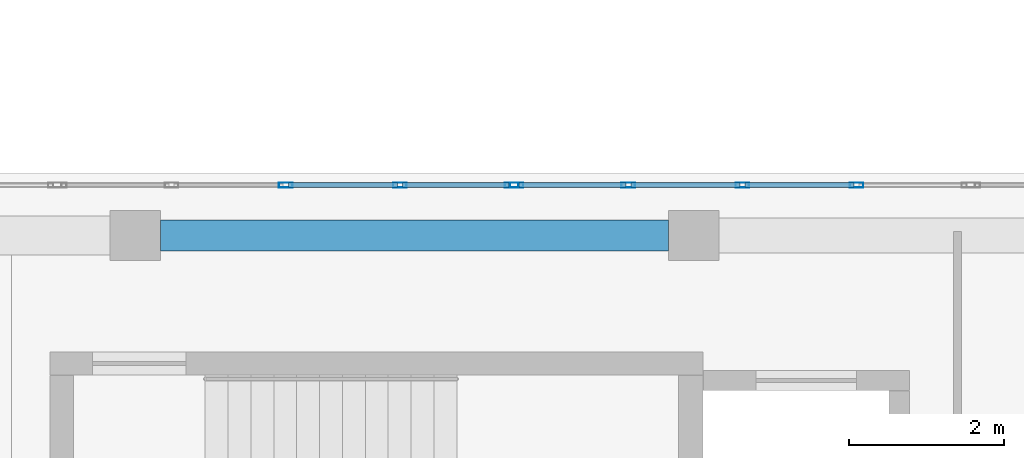
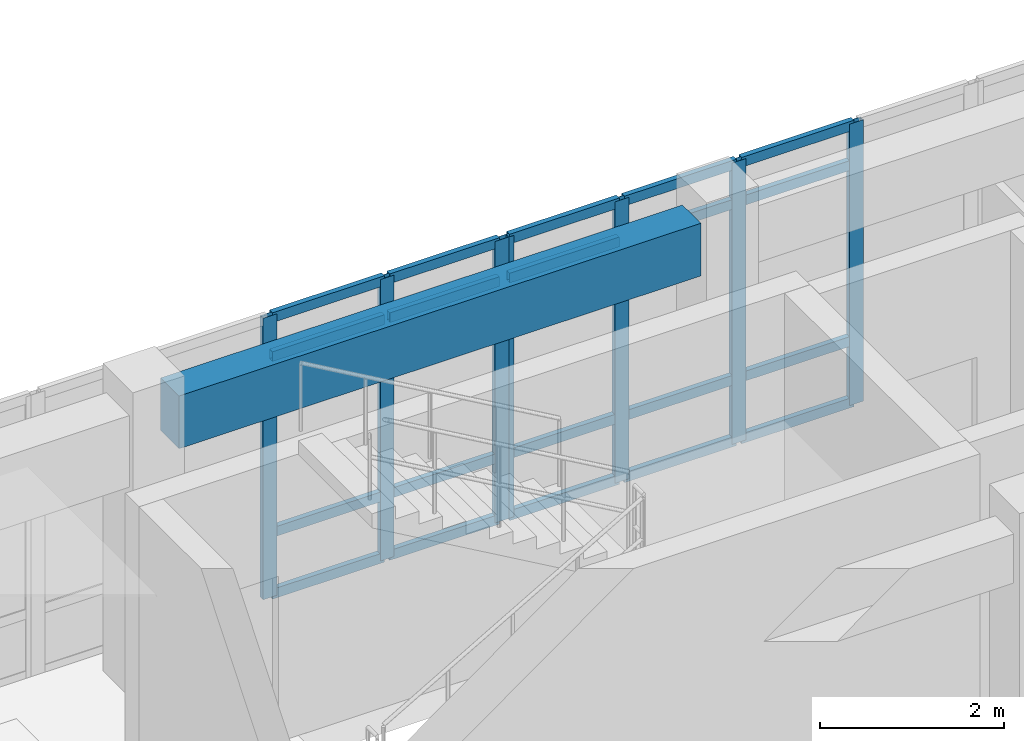
# One storey, part 29 of 146: 27 members, 1 beam, 2 elements without a shape of their own.
"""IFC4 building model written with IfcOpenShell, lengths in metres."""

from ifc_helpers import new_model, si_unit, direction, frame, origin, origin_2d, place, context, subcontext, project, spatial, rectangle, hollow_rectangle, extrude, material, layer, layer_set, material_profile, profile_set, type_object, element, aggregate, save


model = new_model("IFC4")

# Units and contexts
model_context = context("Model", 3, precision=1e-05, world=origin(), true_north=direction((0.0, 1.0)))
body_context = subcontext(model_context, "Body", "Model", "MODEL_VIEW")
ifc_project = project(units=[si_unit("LENGTHUNIT", "METRE"), si_unit("AREAUNIT", "SQUARE_METRE"), si_unit("VOLUMEUNIT", "CUBIC_METRE"), si_unit("PLANEANGLEUNIT", "RADIAN"), si_unit("MASSUNIT", "GRAM", prefix="KILO")], contexts=[model_context])

# Site, building, storey
site_placement = place(None, origin())
site = spatial("IfcSite", under=ifc_project, at=site_placement, CompositionType="ELEMENT")
building_placement = place(site_placement, origin())
building = spatial("IfcBuilding", under=site, at=building_placement, Name="Valcora Specialist Clinic", CompositionType="ELEMENT")
storey_placement = place(building_placement, frame((0.0, 0.0, 9.52001953125)))
storey = spatial("IfcBuildingStorey", under=building, at=storey_placement, Name="L02", CompositionType="ELEMENT", Elevation=9.52001953125)

# Beam
ifc_material_1 = material(Name="Concrete C40/50", Category="concrete")
ifc_material_profile_1 = material_profile(ifc_material_1, rectangle(XDim=0.39990234375, YDim=0.699951171875, at=origin_2d()), Name="RC-BM-400X700")
ifc_profile_set_1 = profile_set([ifc_material_profile_1], Name="Concrete C40/50")
beam_type = type_object("IfcBeamType", Name="TY-BM-RC400X700", PredefinedType="BEAM", material=ifc_profile_set_1)
beam_placement = place(storey_placement, frame((30.925048828125, 22.0, 3.385009765625), z_axis=(1.0, 0.0, 0.0), x_axis=(0.0, 1.0, 0.0)))
element("IfcBeam", 1, at=beam_placement, inside=storey, type_object=beam_type, Name="Beam BM-L02-1006", PredefinedType="BEAM", context=body_context, shape_type="SweptSolid", body=[
    extrude(rectangle(XDim=0.39990234375, YDim=0.699951171875, at=origin_2d()), origin(), (0.0, 0.0, 1.0), 6.550048828125),
])

# Curtain wall, members
ifc_material_2 = material(Name="Anodized Bronze Aluminium 6063-T6", Category="aluminium")
ifc_layer = layer(ifc_material_2, 0.175048828125)
ifc_layer_set = layer_set([ifc_layer], Name="Anodized Bronze Aluminium 6063-T6")
curtain_wall_type = type_object("IfcCurtainWallType", Name="TY-CW-V5F15", PredefinedType="NOTDEFINED", material=ifc_layer_set)
curtain_wall_1_placement = place(storey_placement, origin())
curtain_wall_1 = element("IfcCurtainWall", 2, at=curtain_wall_1_placement, inside=storey, type_object=curtain_wall_type, Name="Curtain wall CW-L02-148", PredefinedType="NOTDEFINED")
ifc_material_profile_2 = material_profile(ifc_material_2, hollow_rectangle(XDim=0.06494140625, YDim=0.175048828125, WallThickness=0.00390625, at=origin_2d()), Name="AL-MUL-65X175")
ifc_profile_set_2 = profile_set([ifc_material_profile_2], Name="Anodized Bronze Aluminium 6063-T6")
member_type_1 = type_object("IfcMemberType", Name="TY-CWM-65X175", PredefinedType="MULLION", material=ifc_profile_set_2)
member_1_placement = place(storey_placement, frame((32.538818359375, 22.64990234375, 0.0), z_axis=(0.0, 0.0, 1.0), x_axis=(0.0, 1.0, 0.0)))
member_1 = element("IfcMember", 3, at=member_1_placement, type_object=member_type_1, Name="CW-V5F-15 mullion 3", PredefinedType="MULLION", context=body_context, shape_type="SweptSolid", body=[
    extrude(hollow_rectangle(XDim=0.06494140625, YDim=0.175048828125, WallThickness=0.00390625, at=origin_2d()), origin(), (0.0, 0.0, 1.0), 3.73486328125),
])
member_2_placement = place(storey_placement, frame((34.010986328125, 22.64990234375, 0.0), z_axis=(0.0, 0.0, 1.0), x_axis=(0.0, 1.0, 0.0)))
member_2 = element("IfcMember", 4, at=member_2_placement, type_object=member_type_1, Name="CW-V5F-15 mullion 4", PredefinedType="MULLION", context=body_context, shape_type="SweptSolid", body=[
    extrude(hollow_rectangle(XDim=0.06494140625, YDim=0.175048828125, WallThickness=0.00390625, at=origin_2d()), origin(), (0.0, 0.0, 1.0), 3.73486328125),
])
member_3_placement = place(storey_placement, frame((35.45068359375, 22.64990234375, 0.0), z_axis=(0.0, 0.0, 1.0), x_axis=(0.0, 1.0, 0.0)))
member_3 = element("IfcMember", 5, at=member_3_placement, type_object=member_type_1, Name="CW-V5F-15 mullion 5", PredefinedType="MULLION", context=body_context, shape_type="SweptSolid", body=[
    extrude(hollow_rectangle(XDim=0.06494140625, YDim=0.175048828125, WallThickness=0.00390625, at=origin_2d()), origin(), (0.0, 0.0, 1.0), 3.73486328125),
])

curtain_wall_2_placement = place(storey_placement, origin())
curtain_wall_2 = element("IfcCurtainWall", 6, at=curtain_wall_2_placement, inside=storey, type_object=curtain_wall_type, Name="Curtain wall CW-L02-149", PredefinedType="NOTDEFINED")
member_4_placement = place(storey_placement, frame((35.515869140625, 22.64990234375, 0.0), z_axis=(0.0, 0.0, 1.0), x_axis=(0.0, 1.0, 0.0)))
member_4 = element("IfcMember", 7, at=member_4_placement, type_object=member_type_1, Name="CW-V5F-15 mullion 1", PredefinedType="MULLION", context=body_context, shape_type="SweptSolid", body=[
    extrude(hollow_rectangle(XDim=0.06494140625, YDim=0.175048828125, WallThickness=0.00390625, at=origin_2d()), origin(), (0.0, 0.0, 1.0), 3.73486328125),
])
member_5_placement = place(storey_placement, frame((36.95556640625, 22.64990234375, 0.0), z_axis=(0.0, 0.0, 1.0), x_axis=(0.0, 1.0, 0.0)))
member_5 = element("IfcMember", 8, at=member_5_placement, type_object=member_type_1, Name="CW-V5F-15 mullion 2", PredefinedType="MULLION", context=body_context, shape_type="SweptSolid", body=[
    extrude(hollow_rectangle(XDim=0.06494140625, YDim=0.175048828125, WallThickness=0.00390625, at=origin_2d()), origin(), (0.0, 0.0, 1.0), 3.73486328125),
])
member_6_placement = place(storey_placement, frame((38.427734375, 22.64990234375, 0.0), z_axis=(0.0, 0.0, 1.0), x_axis=(0.0, 1.0, 0.0)))
member_6 = element("IfcMember", 9, at=member_6_placement, type_object=member_type_1, Name="CW-V5F-15 mullion 3", PredefinedType="MULLION", context=body_context, shape_type="SweptSolid", body=[
    extrude(hollow_rectangle(XDim=0.06494140625, YDim=0.175048828125, WallThickness=0.00390625, at=origin_2d()), origin(), (0.0, 0.0, 1.0), 3.73486328125),
])
member_7_placement = place(storey_placement, frame((39.89990234375, 22.64990234375, 0.0), z_axis=(0.0, 0.0, 1.0), x_axis=(0.0, 1.0, 0.0)))
member_7 = element("IfcMember", 10, at=member_7_placement, type_object=member_type_1, Name="CW-V5F-15 mullion 4", PredefinedType="MULLION", context=body_context, shape_type="SweptSolid", body=[
    extrude(hollow_rectangle(XDim=0.06494140625, YDim=0.175048828125, WallThickness=0.00390625, at=origin_2d()), origin(), (0.0, 0.0, 1.0), 3.73486328125),
])

# Member
ifc_material_profile_3 = material_profile(ifc_material_2, hollow_rectangle(XDim=0.06494140625, YDim=0.1298828125, WallThickness=0.00390625, at=origin_2d()), Name="AL-TRN-65X130")
ifc_profile_set_3 = profile_set([ifc_material_profile_3], Name="Anodized Bronze Aluminium 6063-T6")
member_type_2 = type_object("IfcMemberType", Name="TY-CWT-65X130", PredefinedType="USERDEFINED", material=ifc_profile_set_3)
member_8_placement = place(storey_placement, frame((32.5712890625, 22.64990234375, 0.032470703125), z_axis=(1.0, 0.0, 0.0), x_axis=(0.0, 1.0, 0.0)))
member_8 = element("IfcMember", 11, at=member_8_placement, type_object=member_type_2, Name="CW-V5F-15 transom 3.1", ObjectType="TRANSOM", PredefinedType="USERDEFINED", context=body_context, shape_type="SweptSolid", body=[
    extrude(hollow_rectangle(XDim=0.06494140625, YDim=0.1298828125, WallThickness=0.00390625, at=origin_2d()), origin(), (0.0, 0.0, 1.0), 1.4072265625),
])

member_9_placement = place(storey_placement, frame((32.5712890625, 22.64990234375, 0.85009765625), z_axis=(1.0, 0.0, 0.0), x_axis=(0.0, 1.0, 0.0)))
member_9 = element("IfcMember", 12, at=member_9_placement, type_object=member_type_2, Name="CW-V5F-15 transom 3.2", ObjectType="TRANSOM", PredefinedType="USERDEFINED", context=body_context, shape_type="SweptSolid", body=[
    extrude(hollow_rectangle(XDim=0.06494140625, YDim=0.1298828125, WallThickness=0.00390625, at=origin_2d()), origin(), (0.0, 0.0, 1.0), 1.4072265625),
])

member_10_placement = place(storey_placement, frame((32.5712890625, 22.64990234375, 3.18505859375), z_axis=(1.0, 0.0, 0.0), x_axis=(0.0, 1.0, 0.0)))
member_10 = element("IfcMember", 13, at=member_10_placement, type_object=member_type_2, Name="CW-V5F-15 transom 3.3", ObjectType="TRANSOM", PredefinedType="USERDEFINED", context=body_context, shape_type="SweptSolid", body=[
    extrude(hollow_rectangle(XDim=0.06494140625, YDim=0.1298828125, WallThickness=0.00390625, at=origin_2d()), origin(), (0.0, 0.0, 1.0), 1.4072265625),
])

member_11_placement = place(storey_placement, frame((32.5712890625, 22.64990234375, 3.702392578125), z_axis=(1.0, 0.0, 0.0), x_axis=(0.0, 1.0, 0.0)))
member_11 = element("IfcMember", 14, at=member_11_placement, type_object=member_type_2, Name="CW-V5F-15 transom 3.4", ObjectType="TRANSOM", PredefinedType="USERDEFINED", context=body_context, shape_type="SweptSolid", body=[
    extrude(hollow_rectangle(XDim=0.06494140625, YDim=0.1298828125, WallThickness=0.00390625, at=origin_2d()), origin(), (0.0, 0.0, 1.0), 1.4072265625),
])

member_12_placement = place(storey_placement, frame((34.04345703125, 22.64990234375, 0.032470703125), z_axis=(1.0, 0.0, 0.0), x_axis=(0.0, 1.0, 0.0)))
member_12 = element("IfcMember", 15, at=member_12_placement, type_object=member_type_2, Name="CW-V5F-15 transom 4.1", ObjectType="TRANSOM", PredefinedType="USERDEFINED", context=body_context, shape_type="SweptSolid", body=[
    extrude(hollow_rectangle(XDim=0.06494140625, YDim=0.1298828125, WallThickness=0.00390625, at=origin_2d()), origin(), (0.0, 0.0, 1.0), 1.374755859375),
])

member_13_placement = place(storey_placement, frame((34.04345703125, 22.64990234375, 0.85009765625), z_axis=(1.0, 0.0, 0.0), x_axis=(0.0, 1.0, 0.0)))
member_13 = element("IfcMember", 16, at=member_13_placement, type_object=member_type_2, Name="CW-V5F-15 transom 4.2", ObjectType="TRANSOM", PredefinedType="USERDEFINED", context=body_context, shape_type="SweptSolid", body=[
    extrude(hollow_rectangle(XDim=0.06494140625, YDim=0.1298828125, WallThickness=0.00390625, at=origin_2d()), origin(), (0.0, 0.0, 1.0), 1.374755859375),
])

member_14_placement = place(storey_placement, frame((34.04345703125, 22.64990234375, 3.18505859375), z_axis=(1.0, 0.0, 0.0), x_axis=(0.0, 1.0, 0.0)))
member_14 = element("IfcMember", 17, at=member_14_placement, type_object=member_type_2, Name="CW-V5F-15 transom 4.3", ObjectType="TRANSOM", PredefinedType="USERDEFINED", context=body_context, shape_type="SweptSolid", body=[
    extrude(hollow_rectangle(XDim=0.06494140625, YDim=0.1298828125, WallThickness=0.00390625, at=origin_2d()), origin(), (0.0, 0.0, 1.0), 1.374755859375),
])

member_15_placement = place(storey_placement, frame((34.04345703125, 22.64990234375, 3.702392578125), z_axis=(1.0, 0.0, 0.0), x_axis=(0.0, 1.0, 0.0)))
member_15 = element("IfcMember", 18, at=member_15_placement, type_object=member_type_2, Name="CW-V5F-15 transom 4.4", ObjectType="TRANSOM", PredefinedType="USERDEFINED", context=body_context, shape_type="SweptSolid", body=[
    extrude(hollow_rectangle(XDim=0.06494140625, YDim=0.1298828125, WallThickness=0.00390625, at=origin_2d()), origin(), (0.0, 0.0, 1.0), 1.374755859375),
])

aggregate(curtain_wall_1, [member_1, member_2, member_3, member_8, member_9, member_10, member_11, member_12, member_13, member_14, member_15])

member_16_placement = place(storey_placement, frame((35.54833984375, 22.64990234375, 0.032470703125), z_axis=(1.0, 0.0, 0.0), x_axis=(0.0, 1.0, 0.0)))
member_16 = element("IfcMember", 19, at=member_16_placement, type_object=member_type_2, Name="CW-V5F-15 transom 1.1", ObjectType="TRANSOM", PredefinedType="USERDEFINED", context=body_context, shape_type="SweptSolid", body=[
    extrude(hollow_rectangle(XDim=0.06494140625, YDim=0.1298828125, WallThickness=0.00390625, at=origin_2d()), origin(), (0.0, 0.0, 1.0), 1.374755859375),
])

member_17_placement = place(storey_placement, frame((35.54833984375, 22.64990234375, 0.85009765625), z_axis=(1.0, 0.0, 0.0), x_axis=(0.0, 1.0, 0.0)))
member_17 = element("IfcMember", 20, at=member_17_placement, type_object=member_type_2, Name="CW-V5F-15 transom 1.2", ObjectType="TRANSOM", PredefinedType="USERDEFINED", context=body_context, shape_type="SweptSolid", body=[
    extrude(hollow_rectangle(XDim=0.06494140625, YDim=0.1298828125, WallThickness=0.00390625, at=origin_2d()), origin(), (0.0, 0.0, 1.0), 1.374755859375),
])

member_18_placement = place(storey_placement, frame((35.54833984375, 22.64990234375, 3.18505859375), z_axis=(1.0, 0.0, 0.0), x_axis=(0.0, 1.0, 0.0)))
member_18 = element("IfcMember", 21, at=member_18_placement, type_object=member_type_2, Name="CW-V5F-15 transom 1.3", ObjectType="TRANSOM", PredefinedType="USERDEFINED", context=body_context, shape_type="SweptSolid", body=[
    extrude(hollow_rectangle(XDim=0.06494140625, YDim=0.1298828125, WallThickness=0.00390625, at=origin_2d()), origin(), (0.0, 0.0, 1.0), 1.374755859375),
])

member_19_placement = place(storey_placement, frame((35.54833984375, 22.64990234375, 3.702392578125), z_axis=(1.0, 0.0, 0.0), x_axis=(0.0, 1.0, 0.0)))
member_19 = element("IfcMember", 22, at=member_19_placement, type_object=member_type_2, Name="CW-V5F-15 transom 1.4", ObjectType="TRANSOM", PredefinedType="USERDEFINED", context=body_context, shape_type="SweptSolid", body=[
    extrude(hollow_rectangle(XDim=0.06494140625, YDim=0.1298828125, WallThickness=0.00390625, at=origin_2d()), origin(), (0.0, 0.0, 1.0), 1.374755859375),
])

member_20_placement = place(storey_placement, frame((36.988037109375, 22.64990234375, 0.032470703125), z_axis=(1.0, 0.0, 0.0), x_axis=(0.0, 1.0, 0.0)))
member_20 = element("IfcMember", 23, at=member_20_placement, type_object=member_type_2, Name="CW-V5F-15 transom 2.1", ObjectType="TRANSOM", PredefinedType="USERDEFINED", context=body_context, shape_type="SweptSolid", body=[
    extrude(hollow_rectangle(XDim=0.06494140625, YDim=0.1298828125, WallThickness=0.00390625, at=origin_2d()), origin(), (0.0, 0.0, 1.0), 1.4072265625),
])

member_21_placement = place(storey_placement, frame((36.988037109375, 22.64990234375, 0.85009765625), z_axis=(1.0, 0.0, 0.0), x_axis=(0.0, 1.0, 0.0)))
member_21 = element("IfcMember", 24, at=member_21_placement, type_object=member_type_2, Name="CW-V5F-15 transom 2.2", ObjectType="TRANSOM", PredefinedType="USERDEFINED", context=body_context, shape_type="SweptSolid", body=[
    extrude(hollow_rectangle(XDim=0.06494140625, YDim=0.1298828125, WallThickness=0.00390625, at=origin_2d()), origin(), (0.0, 0.0, 1.0), 1.4072265625),
])

member_22_placement = place(storey_placement, frame((36.988037109375, 22.64990234375, 3.18505859375), z_axis=(1.0, 0.0, 0.0), x_axis=(0.0, 1.0, 0.0)))
member_22 = element("IfcMember", 25, at=member_22_placement, type_object=member_type_2, Name="CW-V5F-15 transom 2.3", ObjectType="TRANSOM", PredefinedType="USERDEFINED", context=body_context, shape_type="SweptSolid", body=[
    extrude(hollow_rectangle(XDim=0.06494140625, YDim=0.1298828125, WallThickness=0.00390625, at=origin_2d()), origin(), (0.0, 0.0, 1.0), 1.4072265625),
])

member_23_placement = place(storey_placement, frame((36.988037109375, 22.64990234375, 3.702392578125), z_axis=(1.0, 0.0, 0.0), x_axis=(0.0, 1.0, 0.0)))
member_23 = element("IfcMember", 26, at=member_23_placement, type_object=member_type_2, Name="CW-V5F-15 transom 2.4", ObjectType="TRANSOM", PredefinedType="USERDEFINED", context=body_context, shape_type="SweptSolid", body=[
    extrude(hollow_rectangle(XDim=0.06494140625, YDim=0.1298828125, WallThickness=0.00390625, at=origin_2d()), origin(), (0.0, 0.0, 1.0), 1.4072265625),
])

member_24_placement = place(storey_placement, frame((38.460205078125, 22.64990234375, 0.032470703125), z_axis=(1.0, 0.0, 0.0), x_axis=(0.0, 1.0, 0.0)))
member_24 = element("IfcMember", 27, at=member_24_placement, type_object=member_type_2, Name="CW-V5F-15 transom 3.1", ObjectType="TRANSOM", PredefinedType="USERDEFINED", context=body_context, shape_type="SweptSolid", body=[
    extrude(hollow_rectangle(XDim=0.06494140625, YDim=0.1298828125, WallThickness=0.00390625, at=origin_2d()), origin(), (0.0, 0.0, 1.0), 1.4072265625),
])

member_25_placement = place(storey_placement, frame((38.460205078125, 22.64990234375, 0.85009765625), z_axis=(1.0, 0.0, 0.0), x_axis=(0.0, 1.0, 0.0)))
member_25 = element("IfcMember", 28, at=member_25_placement, type_object=member_type_2, Name="CW-V5F-15 transom 3.2", ObjectType="TRANSOM", PredefinedType="USERDEFINED", context=body_context, shape_type="SweptSolid", body=[
    extrude(hollow_rectangle(XDim=0.06494140625, YDim=0.1298828125, WallThickness=0.00390625, at=origin_2d()), origin(), (0.0, 0.0, 1.0), 1.4072265625),
])

member_26_placement = place(storey_placement, frame((38.460205078125, 22.64990234375, 3.18505859375), z_axis=(1.0, 0.0, 0.0), x_axis=(0.0, 1.0, 0.0)))
member_26 = element("IfcMember", 29, at=member_26_placement, type_object=member_type_2, Name="CW-V5F-15 transom 3.3", ObjectType="TRANSOM", PredefinedType="USERDEFINED", context=body_context, shape_type="SweptSolid", body=[
    extrude(hollow_rectangle(XDim=0.06494140625, YDim=0.1298828125, WallThickness=0.00390625, at=origin_2d()), origin(), (0.0, 0.0, 1.0), 1.4072265625),
])

member_27_placement = place(storey_placement, frame((38.460205078125, 22.64990234375, 3.702392578125), z_axis=(1.0, 0.0, 0.0), x_axis=(0.0, 1.0, 0.0)))
member_27 = element("IfcMember", 30, at=member_27_placement, type_object=member_type_2, Name="CW-V5F-15 transom 3.4", ObjectType="TRANSOM", PredefinedType="USERDEFINED", context=body_context, shape_type="SweptSolid", body=[
    extrude(hollow_rectangle(XDim=0.06494140625, YDim=0.1298828125, WallThickness=0.00390625, at=origin_2d()), origin(), (0.0, 0.0, 1.0), 1.4072265625),
])

aggregate(curtain_wall_2, [member_4, member_5, member_6, member_7, member_16, member_17, member_18, member_19, member_20, member_21, member_22, member_23, member_24, member_25, member_26, member_27])

save(model, "model.ifc")
